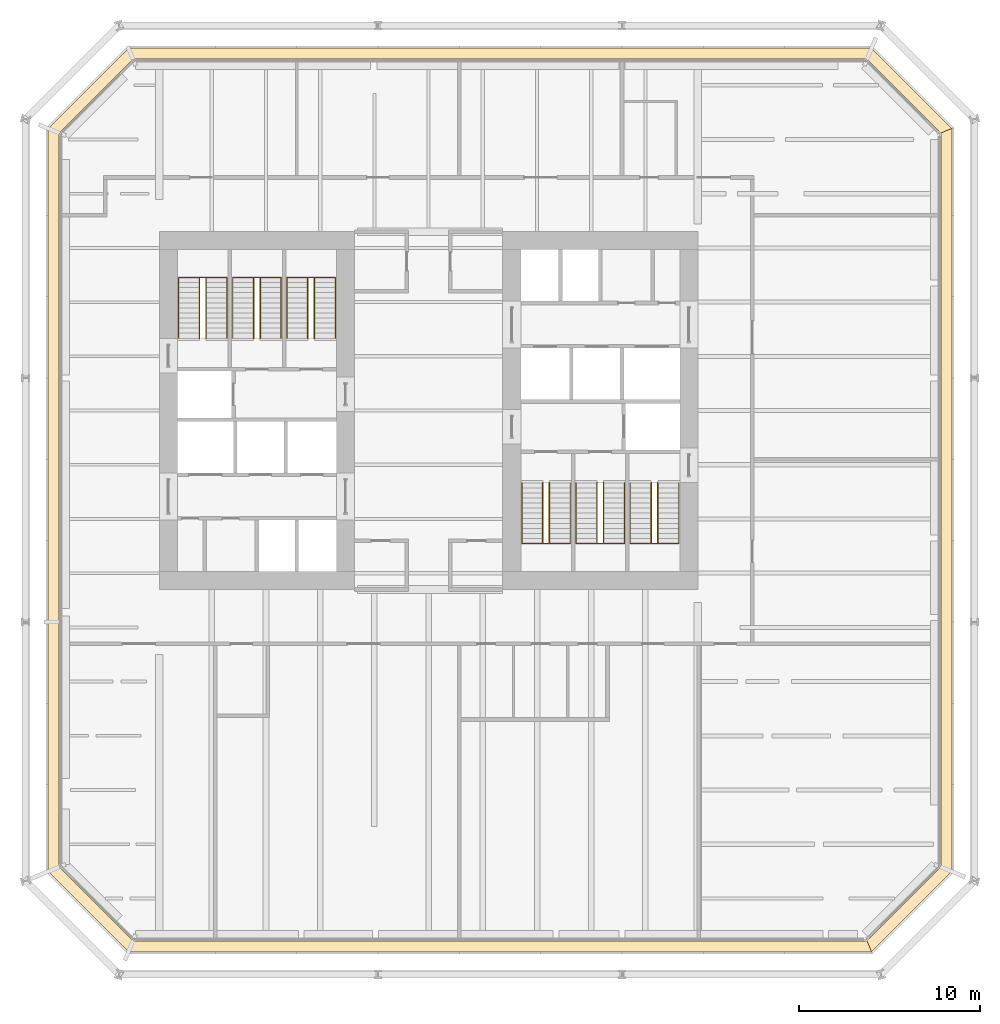
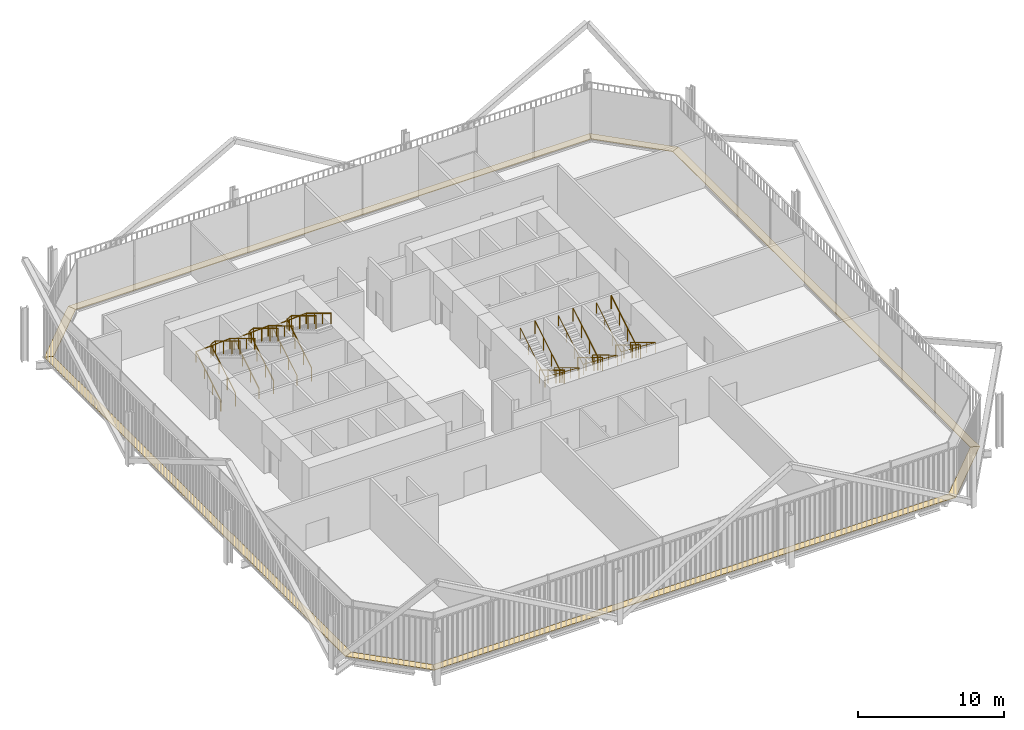
# One storey, part 21 of 21: 12 railings, 8 coverings.
"""IFC4 building model written with IfcOpenShell, lengths in metres."""

from ifc_helpers import new_model, si_unit, direction, frame, origin, origin_2d, place, context, subcontext, project, spatial, polyline, circle, outline, extrude, material, layer, layer_set, type_object, element, save


model = new_model("IFC4")

# Units and contexts
model_context = context("Model", 3, precision=1e-05, world=origin(), true_north=direction((0.0, 1.0)))
body_context = subcontext(model_context, "Body", "Model", "MODEL_VIEW")
ifc_project = project(units=[si_unit("LENGTHUNIT", "METRE"), si_unit("AREAUNIT", "SQUARE_METRE"), si_unit("VOLUMEUNIT", "CUBIC_METRE"), si_unit("PLANEANGLEUNIT", "RADIAN"), si_unit("MASSUNIT", "GRAM", prefix="KILO")], contexts=[model_context])

# Site, building, storey
site_placement = place(None, origin())
site = spatial("IfcSite", under=ifc_project, at=site_placement, CompositionType="ELEMENT")
building_placement = place(site_placement, origin())
building = spatial("IfcBuilding", under=site, at=building_placement, Name="Millrace Tower", CompositionType="ELEMENT")
storey_placement = place(building_placement, frame((0.0, 0.0, 73.199951171875)))
storey = spatial("IfcBuildingStorey", under=building, at=storey_placement, Name="L16", CompositionType="ELEMENT", Elevation=73.199951171875)

# Coverings
ifc_material_1 = material(Name="Steel ASTM A36", Category="steel")
ifc_layer = layer(ifc_material_1, 0.050048828125)
ifc_layer_set = layer_set([ifc_layer], Name="Steel ASTM A36")
covering_type = type_object("IfcCoveringType", Name="CAVITY CATWALK steel grating", PredefinedType="FLOORING", material=ifc_layer_set)
placement = place(storey_placement, frame((0.0, 0.0, 0.10009765625)))
element("IfcCovering", 1, at=placement, inside=storey, type_object=covering_type, Name="Cavity catwalk grating B-F01 L16 1", PredefinedType="FLOORING", context=body_context, shape_type="SweptSolid", body=[
    extrude(outline(polyline([(-21.050048828125, -25.5107421875), (-16.610595703125, -29.949951171875), (-16.362060546875, -29.35009765625), (-20.449951171875, -25.26220703125), (-21.050048828125, -25.5107421875)])), origin(), (0.0, 0.0, 1.0), 0.050048828125),
])
element("IfcCovering", 2, at=placement, inside=storey, type_object=covering_type, Name="Cavity catwalk grating B-F02 L16 1", PredefinedType="FLOORING", context=body_context, shape_type="SweptSolid", body=[
    extrude(outline(polyline([(-16.610595703125, -29.949951171875), (24.5107421875, -29.949951171875), (24.26220703125, -29.35009765625), (-16.362060546875, -29.35009765625), (-16.610595703125, -29.949951171875)])), origin(), (0.0, 0.0, 1.0), 0.050048828125),
])
element("IfcCovering", 3, at=placement, inside=storey, type_object=covering_type, Name="Cavity catwalk grating B-F03 L16 1", PredefinedType="FLOORING", context=body_context, shape_type="SweptSolid", body=[
    extrude(outline(polyline([(24.5107421875, -29.949951171875), (28.949951171875, -25.5107421875), (28.35009765625, -25.26220703125), (24.26220703125, -29.35009765625), (24.5107421875, -29.949951171875)])), origin(), (0.0, 0.0, 1.0), 0.050048828125),
])
element("IfcCovering", 4, at=placement, inside=storey, type_object=covering_type, Name="Cavity catwalk grating B-F04 L16 1", PredefinedType="FLOORING", context=body_context, shape_type="SweptSolid", body=[
    extrude(outline(polyline([(28.949951171875, -25.5107421875), (28.949951171875, 15.610595703125), (28.35009765625, 15.362060546875), (28.35009765625, -25.26220703125), (28.949951171875, -25.5107421875)])), origin(), (0.0, 0.0, 1.0), 0.050048828125),
])
element("IfcCovering", 5, at=placement, inside=storey, type_object=covering_type, Name="Cavity catwalk grating B-F05 L16 1", PredefinedType="FLOORING", context=body_context, shape_type="SweptSolid", body=[
    extrude(outline(polyline([(28.949951171875, 15.610595703125), (24.5107421875, 20.050048828125), (24.26220703125, 19.449951171875), (28.35009765625, 15.362060546875), (28.949951171875, 15.610595703125)])), origin(), (0.0, 0.0, 1.0), 0.050048828125),
])
element("IfcCovering", 6, at=placement, inside=storey, type_object=covering_type, Name="Cavity catwalk grating B-F06 L16 1", PredefinedType="FLOORING", context=body_context, shape_type="SweptSolid", body=[
    extrude(outline(polyline([(24.5107421875, 20.050048828125), (-16.610595703125, 20.050048828125), (-16.362060546875, 19.449951171875), (24.26220703125, 19.449951171875), (24.5107421875, 20.050048828125)])), origin(), (0.0, 0.0, 1.0), 0.050048828125),
])
element("IfcCovering", 7, at=placement, inside=storey, type_object=covering_type, Name="Cavity catwalk grating B-F07 L16 1", PredefinedType="FLOORING", context=body_context, shape_type="SweptSolid", body=[
    extrude(outline(polyline([(-16.610595703125, 20.050048828125), (-21.050048828125, 15.610595703125), (-20.449951171875, 15.362060546875), (-16.362060546875, 19.449951171875), (-16.610595703125, 20.050048828125)])), origin(), (0.0, 0.0, 1.0), 0.050048828125),
])
element("IfcCovering", 8, at=placement, inside=storey, type_object=covering_type, Name="Cavity catwalk grating B-F08 L16 1", PredefinedType="FLOORING", context=body_context, shape_type="SweptSolid", body=[
    extrude(outline(polyline([(-21.050048828125, 15.610595703125), (-21.050048828125, -25.5107421875), (-20.449951171875, -25.26220703125), (-20.449951171875, 15.362060546875), (-21.050048828125, 15.610595703125)])), origin(), (0.0, 0.0, 1.0), 0.050048828125),
])

# Railings
ifc_material_2 = material(Name="Stainless steel ASTM A240 type 316", Category="steel")
railing_type_1 = type_object("IfcRailingType", Name="Stair guard 1100", PredefinedType="GUARDRAIL", material=ifc_material_2)
for number, where, name in (
    (9, (-12.679931640625, 4.0, 0.169189453125), "Stair guard 1 W L16"),
    (10, (-9.679931640625, 4.0, 0.169189453125), "Stair guard 2 W L16"),
    (11, (-6.679931640625, 4.0, 0.169189453125), "Stair guard 3 W L16"),
):
    element("IfcRailing", number, at=place(storey_placement, frame(where)), inside=storey, type_object=railing_type_1, Name=name, PredefinedType="GUARDRAIL", context=body_context, shape_type="SweptSolid", body=[
        extrude(circle(Radius=0.02392578125, at=origin_2d()), frame((0.0, 0.0, 1.076171875), z_axis=(0.0, 0.855836976705, 0.517245656632), x_axis=(-1.0, 0.0, 0.0)), (0.0, 0.0, 1.0), 3.926025390625),
        extrude(circle(Radius=0.02392578125, at=origin_2d()), frame((0.0, 3.360107421875, 3.10693359375), z_axis=(0.904971698027, 0.0, 0.425471768475), x_axis=(0.0, 1.0, 0.0)), (0.0, 0.0, 1.0), 0.397705078125),
        extrude(circle(Radius=0.02392578125, at=origin_2d()), frame((0.35986328125, 3.360107421875, 3.27587890625), z_axis=(0.0, -0.855809448938, 0.517291201461), x_axis=(1.0, 0.0, 0.0)), (0.0, 0.0, 1.0), 3.92626953125),
        extrude(circle(Radius=0.02099609375, at=origin_2d()), origin(), (0.0, 0.0, 1.0), 1.052001953125),
        extrude(circle(Radius=0.02099609375, at=origin_2d()), frame((0.0, 1.1201171875, 0.677001953125)), (0.0, 0.0, 1.0), 1.052001953125),
        extrude(circle(Radius=0.02099609375, at=origin_2d()), frame((0.0, 2.239990234375, 1.353759765625)), (0.0, 0.0, 1.0), 1.052001953125),
        extrude(circle(Radius=0.02099609375, at=origin_2d()), frame((0.0, 3.360107421875, 2.03076171875)), (0.0, 0.0, 1.0), 1.052001953125),
        extrude(circle(Radius=0.02099609375, at=origin_2d()), frame((0.35986328125, 3.360107421875, 2.199951171875)), (0.0, 0.0, 1.0), 1.052001953125),
        extrude(circle(Radius=0.02099609375, at=origin_2d()), frame((0.35986328125, 2.239990234375, 2.876953125)), (0.0, 0.0, 1.0), 1.052001953125),
        extrude(circle(Radius=0.02099609375, at=origin_2d()), frame((0.35986328125, 1.1201171875, 3.553955078125)), (0.0, 0.0, 1.0), 1.052001953125),
        extrude(circle(Radius=0.02099609375, at=origin_2d()), frame((0.35986328125, 0.0, 4.23095703125)), (0.0, 0.0, 1.0), 1.052001953125),
    ])
for number, where, name in (
    (12, (12.679931640625, -4.0, 0.169189453125), "Stair guard 1 E L16"),
    (13, (9.679931640625, -4.0, 0.169189453125), "Stair guard 2 E L16"),
    (14, (6.679931640625, -4.0, 0.169189453125), "Stair guard 3 E L16"),
):
    element("IfcRailing", number, at=place(storey_placement, frame(where)), inside=storey, type_object=railing_type_1, Name=name, PredefinedType="GUARDRAIL", context=body_context, shape_type="SweptSolid", body=[
        extrude(circle(Radius=0.02392578125, at=origin_2d()), frame((0.0, 0.0, 1.076171875), z_axis=(0.0, -0.855836976705, 0.517245656632), x_axis=(1.0, 0.0, 0.0)), (0.0, 0.0, 1.0), 3.926025390625),
        extrude(circle(Radius=0.02392578125, at=origin_2d()), frame((0.0, -3.360107421875, 3.10693359375), z_axis=(-0.904971698027, 0.0, 0.425471768475), x_axis=(0.0, -1.0, 0.0)), (0.0, 0.0, 1.0), 0.397705078125),
        extrude(circle(Radius=0.02392578125, at=origin_2d()), frame((-0.35986328125, -3.360107421875, 3.27587890625), z_axis=(0.0, 0.855809448938, 0.517291201461), x_axis=(-1.0, 0.0, 0.0)), (0.0, 0.0, 1.0), 3.92626953125),
        extrude(circle(Radius=0.02099609375, at=origin_2d()), origin(), (0.0, 0.0, 1.0), 1.052001953125),
        extrude(circle(Radius=0.02099609375, at=origin_2d()), frame((0.0, -1.1201171875, 0.677001953125)), (0.0, 0.0, 1.0), 1.052001953125),
        extrude(circle(Radius=0.02099609375, at=origin_2d()), frame((0.0, -2.239990234375, 1.353759765625)), (0.0, 0.0, 1.0), 1.052001953125),
        extrude(circle(Radius=0.02099609375, at=origin_2d()), frame((0.0, -3.360107421875, 2.03076171875)), (0.0, 0.0, 1.0), 1.052001953125),
        extrude(circle(Radius=0.02099609375, at=origin_2d()), frame((-0.35986328125, -3.360107421875, 2.199951171875)), (0.0, 0.0, 1.0), 1.052001953125),
        extrude(circle(Radius=0.02099609375, at=origin_2d()), frame((-0.35986328125, -2.239990234375, 2.876953125)), (0.0, 0.0, 1.0), 1.052001953125),
        extrude(circle(Radius=0.02099609375, at=origin_2d()), frame((-0.35986328125, -1.1201171875, 3.553955078125)), (0.0, 0.0, 1.0), 1.052001953125),
        extrude(circle(Radius=0.02099609375, at=origin_2d()), frame((-0.35986328125, 0.0, 4.23095703125)), (0.0, 0.0, 1.0), 1.052001953125),
    ])
ifc_material_3 = material(Name="Stainless steel ASTM A240 type 316", Category="steel")
railing_type_2 = type_object("IfcRailingType", Name="Stair handrail 900", PredefinedType="HANDRAIL", material=ifc_material_3)
railing_1_placement = place(storey_placement, frame((-13.840087890625, 4.0, 0.169189453125)))
element("IfcRailing", 15, at=railing_1_placement, inside=storey, type_object=railing_type_2, Name="Stair handrail 1 W L16", PredefinedType="HANDRAIL", context=body_context, shape_type="SweptSolid", body=[
    extrude(circle(Radius=0.02392578125, at=origin_2d()), frame((0.0, 0.0, 0.8759765625), z_axis=(0.0, 0.855836976705, 0.517245656632), x_axis=(-1.0, 0.0, 0.0)), (0.0, 0.0, 1.0), 3.926025390625),
    extrude(circle(Radius=0.02392578125, at=origin_2d()), frame((0.0, 3.360107421875, 2.90673828125), z_axis=(0.998013473273, 0.0, 0.063000850517), x_axis=(0.0, 1.0, 0.0)), (0.0, 0.0, 1.0), 2.685546875),
    extrude(circle(Radius=0.02392578125, at=origin_2d()), frame((2.68017578125, 3.360107421875, 3.07568359375), z_axis=(0.0, -0.855809448938, 0.517291201461), x_axis=(1.0, 0.0, 0.0)), (0.0, 0.0, 1.0), 3.92626953125),
    extrude(circle(Radius=0.02099609375, at=origin_2d()), origin(), (0.0, 0.0, 1.0), 0.851806640625),
    extrude(circle(Radius=0.02099609375, at=origin_2d()), frame((0.0, 1.1201171875, 0.677001953125)), (0.0, 0.0, 1.0), 0.851806640625),
    extrude(circle(Radius=0.02099609375, at=origin_2d()), frame((0.0, 2.239990234375, 1.353759765625)), (0.0, 0.0, 1.0), 0.851806640625),
    extrude(circle(Radius=0.02099609375, at=origin_2d()), frame((0.0, 3.360107421875, 2.03076171875)), (0.0, 0.0, 1.0), 0.851806640625),
    extrude(circle(Radius=0.02099609375, at=origin_2d()), frame((1.340087890625, 3.360107421875, 2.115234375)), (0.0, 0.0, 1.0), 0.851806640625),
    extrude(circle(Radius=0.02099609375, at=origin_2d()), frame((2.68017578125, 3.360107421875, 2.199951171875)), (0.0, 0.0, 1.0), 0.851806640625),
    extrude(circle(Radius=0.02099609375, at=origin_2d()), frame((2.68017578125, 2.239990234375, 2.876953125)), (0.0, 0.0, 1.0), 0.851806640625),
    extrude(circle(Radius=0.02099609375, at=origin_2d()), frame((2.68017578125, 1.1201171875, 3.553955078125)), (0.0, 0.0, 1.0), 0.851806640625),
    extrude(circle(Radius=0.02099609375, at=origin_2d()), frame((2.68017578125, 0.0, 4.23095703125)), (0.0, 0.0, 1.0), 0.851806640625),
])
railing_2_placement = place(storey_placement, frame((-10.840087890625, 4.0, 0.169189453125)))
element("IfcRailing", 16, at=railing_2_placement, inside=storey, type_object=railing_type_2, Name="Stair handrail 2 W L16", PredefinedType="HANDRAIL", context=body_context, shape_type="SweptSolid", body=[
    extrude(circle(Radius=0.02392578125, at=origin_2d()), frame((0.0, 0.0, 0.8759765625), z_axis=(0.0, 0.855836976705, 0.517245656632), x_axis=(-1.0, 0.0, 0.0)), (0.0, 0.0, 1.0), 3.926025390625),
    extrude(circle(Radius=0.02392578125, at=origin_2d()), frame((0.0, 3.360107421875, 2.90673828125), z_axis=(0.998013473273, 0.0, 0.063000850517), x_axis=(0.0, 1.0, 0.0)), (0.0, 0.0, 1.0), 2.685546875),
    extrude(circle(Radius=0.02392578125, at=origin_2d()), frame((2.68017578125, 3.360107421875, 3.07568359375), z_axis=(0.0, -0.855809448938, 0.517291201461), x_axis=(1.0, 0.0, 0.0)), (0.0, 0.0, 1.0), 3.92626953125),
    extrude(circle(Radius=0.02099609375, at=origin_2d()), origin(), (0.0, 0.0, 1.0), 0.851806640625),
    extrude(circle(Radius=0.02099609375, at=origin_2d()), frame((0.0, 1.1201171875, 0.677001953125)), (0.0, 0.0, 1.0), 0.851806640625),
    extrude(circle(Radius=0.02099609375, at=origin_2d()), frame((0.0, 2.239990234375, 1.353759765625)), (0.0, 0.0, 1.0), 0.851806640625),
    extrude(circle(Radius=0.02099609375, at=origin_2d()), frame((0.0, 3.360107421875, 2.03076171875)), (0.0, 0.0, 1.0), 0.851806640625),
    extrude(circle(Radius=0.02099609375, at=origin_2d()), frame((1.340087890625, 3.360107421875, 2.115234375)), (0.0, 0.0, 1.0), 0.851806640625),
    extrude(circle(Radius=0.02099609375, at=origin_2d()), frame((2.68017578125, 3.360107421875, 2.199951171875)), (0.0, 0.0, 1.0), 0.851806640625),
    extrude(circle(Radius=0.02099609375, at=origin_2d()), frame((2.68017578125, 2.239990234375, 2.876953125)), (0.0, 0.0, 1.0), 0.851806640625),
    extrude(circle(Radius=0.02099609375, at=origin_2d()), frame((2.68017578125, 1.1201171875, 3.553955078125)), (0.0, 0.0, 1.0), 0.851806640625),
    extrude(circle(Radius=0.02099609375, at=origin_2d()), frame((2.68017578125, 0.0, 4.23095703125)), (0.0, 0.0, 1.0), 0.851806640625),
])
railing_3_placement = place(storey_placement, frame((-7.840087890625, 4.0, 0.169189453125)))
element("IfcRailing", 17, at=railing_3_placement, inside=storey, type_object=railing_type_2, Name="Stair handrail 3 W L16", PredefinedType="HANDRAIL", context=body_context, shape_type="SweptSolid", body=[
    extrude(circle(Radius=0.02392578125, at=origin_2d()), frame((0.0, 0.0, 0.8759765625), z_axis=(0.0, 0.855836976705, 0.517245656632), x_axis=(-1.0, 0.0, 0.0)), (0.0, 0.0, 1.0), 3.926025390625),
    extrude(circle(Radius=0.02392578125, at=origin_2d()), frame((0.0, 3.360107421875, 2.90673828125), z_axis=(0.998013473273, 0.0, 0.063000850517), x_axis=(0.0, 1.0, 0.0)), (0.0, 0.0, 1.0), 2.685546875),
    extrude(circle(Radius=0.02392578125, at=origin_2d()), frame((2.68017578125, 3.360107421875, 3.07568359375), z_axis=(0.0, -0.855809448938, 0.517291201461), x_axis=(1.0, 0.0, 0.0)), (0.0, 0.0, 1.0), 3.92626953125),
    extrude(circle(Radius=0.02099609375, at=origin_2d()), origin(), (0.0, 0.0, 1.0), 0.851806640625),
    extrude(circle(Radius=0.02099609375, at=origin_2d()), frame((0.0, 1.1201171875, 0.677001953125)), (0.0, 0.0, 1.0), 0.851806640625),
    extrude(circle(Radius=0.02099609375, at=origin_2d()), frame((0.0, 2.239990234375, 1.353759765625)), (0.0, 0.0, 1.0), 0.851806640625),
    extrude(circle(Radius=0.02099609375, at=origin_2d()), frame((0.0, 3.360107421875, 2.03076171875)), (0.0, 0.0, 1.0), 0.851806640625),
    extrude(circle(Radius=0.02099609375, at=origin_2d()), frame((1.340087890625, 3.360107421875, 2.115234375)), (0.0, 0.0, 1.0), 0.851806640625),
    extrude(circle(Radius=0.02099609375, at=origin_2d()), frame((2.68017578125, 3.360107421875, 2.199951171875)), (0.0, 0.0, 1.0), 0.851806640625),
    extrude(circle(Radius=0.02099609375, at=origin_2d()), frame((2.68017578125, 2.239990234375, 2.876953125)), (0.0, 0.0, 1.0), 0.851806640625),
    extrude(circle(Radius=0.02099609375, at=origin_2d()), frame((2.68017578125, 1.1201171875, 3.553955078125)), (0.0, 0.0, 1.0), 0.851806640625),
    extrude(circle(Radius=0.02099609375, at=origin_2d()), frame((2.68017578125, 0.0, 4.23095703125)), (0.0, 0.0, 1.0), 0.851806640625),
])
railing_4_placement = place(storey_placement, frame((13.840087890625, -4.0, 0.169189453125)))
element("IfcRailing", 18, at=railing_4_placement, inside=storey, type_object=railing_type_2, Name="Stair handrail 1 E L16", PredefinedType="HANDRAIL", context=body_context, shape_type="SweptSolid", body=[
    extrude(circle(Radius=0.02392578125, at=origin_2d()), frame((0.0, 0.0, 0.8759765625), z_axis=(0.0, -0.855836976705, 0.517245656632), x_axis=(1.0, 0.0, 0.0)), (0.0, 0.0, 1.0), 3.926025390625),
    extrude(circle(Radius=0.02392578125, at=origin_2d()), frame((0.0, -3.360107421875, 2.90673828125), z_axis=(-0.998013473273, 0.0, 0.063000850517), x_axis=(0.0, -1.0, 0.0)), (0.0, 0.0, 1.0), 2.685546875),
    extrude(circle(Radius=0.02392578125, at=origin_2d()), frame((-2.68017578125, -3.360107421875, 3.07568359375), z_axis=(0.0, 0.855809448938, 0.517291201461), x_axis=(-1.0, 0.0, 0.0)), (0.0, 0.0, 1.0), 3.92626953125),
    extrude(circle(Radius=0.02099609375, at=origin_2d()), origin(), (0.0, 0.0, 1.0), 0.851806640625),
    extrude(circle(Radius=0.02099609375, at=origin_2d()), frame((0.0, -1.1201171875, 0.677001953125)), (0.0, 0.0, 1.0), 0.851806640625),
    extrude(circle(Radius=0.02099609375, at=origin_2d()), frame((0.0, -2.239990234375, 1.353759765625)), (0.0, 0.0, 1.0), 0.851806640625),
    extrude(circle(Radius=0.02099609375, at=origin_2d()), frame((0.0, -3.360107421875, 2.03076171875)), (0.0, 0.0, 1.0), 0.851806640625),
    extrude(circle(Radius=0.02099609375, at=origin_2d()), frame((-1.340087890625, -3.360107421875, 2.115234375)), (0.0, 0.0, 1.0), 0.851806640625),
    extrude(circle(Radius=0.02099609375, at=origin_2d()), frame((-2.68017578125, -3.360107421875, 2.199951171875)), (0.0, 0.0, 1.0), 0.851806640625),
    extrude(circle(Radius=0.02099609375, at=origin_2d()), frame((-2.68017578125, -2.239990234375, 2.876953125)), (0.0, 0.0, 1.0), 0.851806640625),
    extrude(circle(Radius=0.02099609375, at=origin_2d()), frame((-2.68017578125, -1.1201171875, 3.553955078125)), (0.0, 0.0, 1.0), 0.851806640625),
    extrude(circle(Radius=0.02099609375, at=origin_2d()), frame((-2.68017578125, 0.0, 4.23095703125)), (0.0, 0.0, 1.0), 0.851806640625),
])
railing_5_placement = place(storey_placement, frame((10.840087890625, -4.0, 0.169189453125)))
element("IfcRailing", 19, at=railing_5_placement, inside=storey, type_object=railing_type_2, Name="Stair handrail 2 E L16", PredefinedType="HANDRAIL", context=body_context, shape_type="SweptSolid", body=[
    extrude(circle(Radius=0.02392578125, at=origin_2d()), frame((0.0, 0.0, 0.8759765625), z_axis=(0.0, -0.855836976705, 0.517245656632), x_axis=(1.0, 0.0, 0.0)), (0.0, 0.0, 1.0), 3.926025390625),
    extrude(circle(Radius=0.02392578125, at=origin_2d()), frame((0.0, -3.360107421875, 2.90673828125), z_axis=(-0.998013473273, 0.0, 0.063000850517), x_axis=(0.0, -1.0, 0.0)), (0.0, 0.0, 1.0), 2.685546875),
    extrude(circle(Radius=0.02392578125, at=origin_2d()), frame((-2.68017578125, -3.360107421875, 3.07568359375), z_axis=(0.0, 0.855809448938, 0.517291201461), x_axis=(-1.0, 0.0, 0.0)), (0.0, 0.0, 1.0), 3.92626953125),
    extrude(circle(Radius=0.02099609375, at=origin_2d()), origin(), (0.0, 0.0, 1.0), 0.851806640625),
    extrude(circle(Radius=0.02099609375, at=origin_2d()), frame((0.0, -1.1201171875, 0.677001953125)), (0.0, 0.0, 1.0), 0.851806640625),
    extrude(circle(Radius=0.02099609375, at=origin_2d()), frame((0.0, -2.239990234375, 1.353759765625)), (0.0, 0.0, 1.0), 0.851806640625),
    extrude(circle(Radius=0.02099609375, at=origin_2d()), frame((0.0, -3.360107421875, 2.03076171875)), (0.0, 0.0, 1.0), 0.851806640625),
    extrude(circle(Radius=0.02099609375, at=origin_2d()), frame((-1.340087890625, -3.360107421875, 2.115234375)), (0.0, 0.0, 1.0), 0.851806640625),
    extrude(circle(Radius=0.02099609375, at=origin_2d()), frame((-2.68017578125, -3.360107421875, 2.199951171875)), (0.0, 0.0, 1.0), 0.851806640625),
    extrude(circle(Radius=0.02099609375, at=origin_2d()), frame((-2.68017578125, -2.239990234375, 2.876953125)), (0.0, 0.0, 1.0), 0.851806640625),
    extrude(circle(Radius=0.02099609375, at=origin_2d()), frame((-2.68017578125, -1.1201171875, 3.553955078125)), (0.0, 0.0, 1.0), 0.851806640625),
    extrude(circle(Radius=0.02099609375, at=origin_2d()), frame((-2.68017578125, 0.0, 4.23095703125)), (0.0, 0.0, 1.0), 0.851806640625),
])
railing_6_placement = place(storey_placement, frame((7.840087890625, -4.0, 0.169189453125)))
element("IfcRailing", 20, at=railing_6_placement, inside=storey, type_object=railing_type_2, Name="Stair handrail 3 E L16", PredefinedType="HANDRAIL", context=body_context, shape_type="SweptSolid", body=[
    extrude(circle(Radius=0.02392578125, at=origin_2d()), frame((0.0, 0.0, 0.8759765625), z_axis=(0.0, -0.855836976705, 0.517245656632), x_axis=(1.0, 0.0, 0.0)), (0.0, 0.0, 1.0), 3.926025390625),
    extrude(circle(Radius=0.02392578125, at=origin_2d()), frame((0.0, -3.360107421875, 2.90673828125), z_axis=(-0.998013473273, 0.0, 0.063000850517), x_axis=(0.0, -1.0, 0.0)), (0.0, 0.0, 1.0), 2.685546875),
    extrude(circle(Radius=0.02392578125, at=origin_2d()), frame((-2.68017578125, -3.360107421875, 3.07568359375), z_axis=(0.0, 0.855809448938, 0.517291201461), x_axis=(-1.0, 0.0, 0.0)), (0.0, 0.0, 1.0), 3.92626953125),
    extrude(circle(Radius=0.02099609375, at=origin_2d()), origin(), (0.0, 0.0, 1.0), 0.851806640625),
    extrude(circle(Radius=0.02099609375, at=origin_2d()), frame((0.0, -1.1201171875, 0.677001953125)), (0.0, 0.0, 1.0), 0.851806640625),
    extrude(circle(Radius=0.02099609375, at=origin_2d()), frame((0.0, -2.239990234375, 1.353759765625)), (0.0, 0.0, 1.0), 0.851806640625),
    extrude(circle(Radius=0.02099609375, at=origin_2d()), frame((0.0, -3.360107421875, 2.03076171875)), (0.0, 0.0, 1.0), 0.851806640625),
    extrude(circle(Radius=0.02099609375, at=origin_2d()), frame((-1.340087890625, -3.360107421875, 2.115234375)), (0.0, 0.0, 1.0), 0.851806640625),
    extrude(circle(Radius=0.02099609375, at=origin_2d()), frame((-2.68017578125, -3.360107421875, 2.199951171875)), (0.0, 0.0, 1.0), 0.851806640625),
    extrude(circle(Radius=0.02099609375, at=origin_2d()), frame((-2.68017578125, -2.239990234375, 2.876953125)), (0.0, 0.0, 1.0), 0.851806640625),
    extrude(circle(Radius=0.02099609375, at=origin_2d()), frame((-2.68017578125, -1.1201171875, 3.553955078125)), (0.0, 0.0, 1.0), 0.851806640625),
    extrude(circle(Radius=0.02099609375, at=origin_2d()), frame((-2.68017578125, 0.0, 4.23095703125)), (0.0, 0.0, 1.0), 0.851806640625),
])

save(model, "model.ifc")
